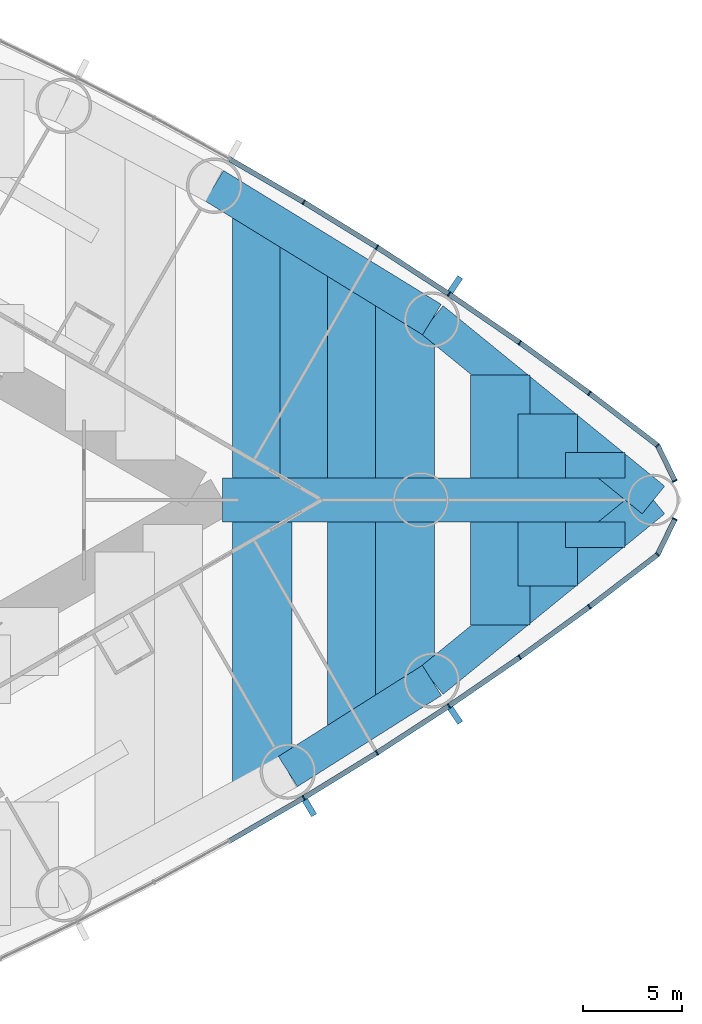
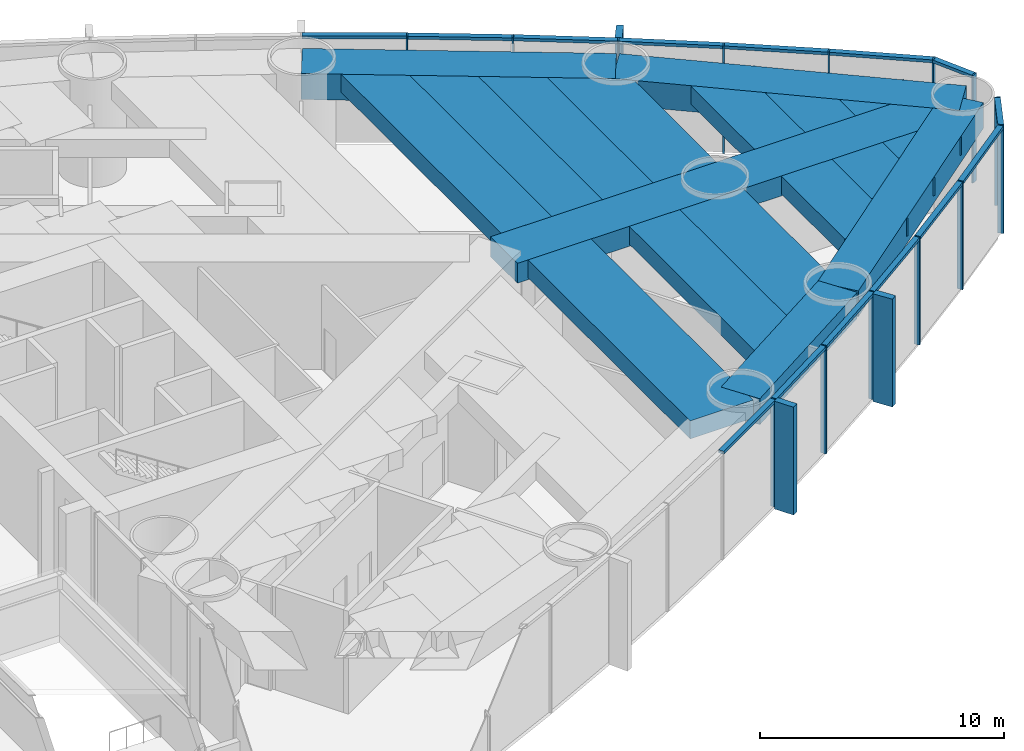
# One storey, part 13 of 23: 31 members, 18 beams, 2 elements without a shape of their own.
"""IFC4 building model written with IfcOpenShell, lengths in metres."""

from ifc_helpers import new_model, si_unit, direction, frame, origin, origin_2d, place, context, subcontext, project, spatial, rectangle, extrude, material, material_profile, profile_set, type_object, element, aggregate, save


model = new_model("IFC4")

# Units and contexts
model_context = context("Model", 3, precision=1e-05, world=origin(), true_north=direction((0.0, 1.0)))
body_context = subcontext(model_context, "Body", "Model", "MODEL_VIEW")
ifc_project = project(units=[si_unit("LENGTHUNIT", "METRE"), si_unit("AREAUNIT", "SQUARE_METRE"), si_unit("VOLUMEUNIT", "CUBIC_METRE"), si_unit("PLANEANGLEUNIT", "RADIAN"), si_unit("MASSUNIT", "GRAM", prefix="KILO")], contexts=[model_context])

# Site, building, storey
site_placement = place(None, origin())
site = spatial("IfcSite", under=ifc_project, at=site_placement, CompositionType="ELEMENT")
building_placement = place(site_placement, origin())
building = spatial("IfcBuilding", under=site, at=building_placement, Name="Lancet Gate Hotel", CompositionType="ELEMENT")
storey_placement = place(building_placement, frame((0.0, 0.0, 12.60009765625)))
storey = spatial("IfcBuildingStorey", under=building, at=storey_placement, Name="L02", CompositionType="ELEMENT", Elevation=12.60009765625)

# Curtain wall, members
ifc_material_1 = material(Name="Aluminium curtain wall", Category="aluminium")
curtain_wall_type = type_object("IfcCurtainWallType", Name="Podium curtain wall", PredefinedType="USERDEFINED", material=ifc_material_1)
curtain_wall_1_placement = place(storey_placement, origin())
curtain_wall_1 = element("IfcCurtainWall", 1, at=curtain_wall_1_placement, inside=storey, type_object=curtain_wall_type, Name="T2 L02 curtain wall 2", ObjectType="UNITISED CURTAIN WALL", PredefinedType="USERDEFINED")
ifc_material_2 = material(Name="Aluminium mullion", Category="aluminium")
ifc_material_profile_1 = material_profile(ifc_material_2, rectangle(XDim=0.06494140625, YDim=0.25, at=origin_2d()), Name="MULLION 65x250")
ifc_profile_set_1 = profile_set([ifc_material_profile_1], Name="Aluminium mullion")
member_type_1 = type_object("IfcMemberType", Name="Aluminium mullion 65x250", PredefinedType="MULLION", material=ifc_profile_set_1)
member_1_placement = place(storey_placement, frame((55.590087890625, -15.03125, 0.0), z_axis=(0.0, 0.0, 1.0), x_axis=(0.858413008828, 0.512959166284, 0.0)))
member_1 = element("IfcMember", 2, at=member_1_placement, type_object=member_type_1, Name="T2 L02 curtain wall 2 mullion 8", PredefinedType="MULLION", context=body_context, shape_type="SweptSolid", body=[
    extrude(rectangle(XDim=0.06494140625, YDim=0.25, at=origin_2d()), origin(), (0.0, 0.0, 1.0), 5.39990234375),
])
member_2_placement = place(storey_placement, frame((59.28515625, -12.7587890625, 0.0), z_axis=(0.0, 0.0, 1.0), x_axis=(0.845079420983, 0.534640788035, 0.0)))
member_2 = element("IfcMember", 3, at=member_2_placement, type_object=member_type_1, Name="T2 L02 curtain wall 2 mullion 9", PredefinedType="MULLION", context=body_context, shape_type="SweptSolid", body=[
    extrude(rectangle(XDim=0.06494140625, YDim=0.25, at=origin_2d()), origin(), (0.0, 0.0, 1.0), 5.39990234375),
])
member_3_placement = place(storey_placement, frame((62.921142578125, -10.393310546875, 0.0), z_axis=(0.0, 0.0, 1.0), x_axis=(0.831198325377, 0.555976028162, 0.0)))
member_3 = element("IfcMember", 4, at=member_3_placement, type_object=member_type_1, Name="T2 L02 curtain wall 2 mullion 10", PredefinedType="MULLION", context=body_context, shape_type="SweptSolid", body=[
    extrude(rectangle(XDim=0.06494140625, YDim=0.25, at=origin_2d()), origin(), (0.0, 0.0, 1.0), 5.39990234375),
])
member_4_placement = place(storey_placement, frame((66.49560546875, -7.935791015625, 0.0), z_axis=(0.0, 0.0, 1.0), x_axis=(0.816778715254, 0.576951064049, 0.0)))
member_4 = element("IfcMember", 5, at=member_4_placement, type_object=member_type_1, Name="T2 L02 curtain wall 2 mullion 11", PredefinedType="MULLION", context=body_context, shape_type="SweptSolid", body=[
    extrude(rectangle(XDim=0.06494140625, YDim=0.25, at=origin_2d()), origin(), (0.0, 0.0, 1.0), 5.39990234375),
])
member_5_placement = place(storey_placement, frame((70.00634765625, -5.388427734375, 0.0), z_axis=(0.0, 0.0, 1.0), x_axis=(0.801829932754, 0.597552306447, 0.0)))
member_5 = element("IfcMember", 6, at=member_5_placement, type_object=member_type_1, Name="T2 L02 curtain wall 2 mullion 12", PredefinedType="MULLION", context=body_context, shape_type="SweptSolid", body=[
    extrude(rectangle(XDim=0.06494140625, YDim=0.25, at=origin_2d()), origin(), (0.0, 0.0, 1.0), 5.39990234375),
])
member_6_placement = place(storey_placement, frame((73.451416015625, -2.752197265625, 0.0), z_axis=(0.0, 0.0, 1.0), x_axis=(0.697983022443, 0.716114306784, 0.0)))
member_6 = element("IfcMember", 7, at=member_6_placement, type_object=member_type_1, Name="T2 L02 curtain wall 2 mullion 13", PredefinedType="MULLION", context=body_context, shape_type="SweptSolid", body=[
    extrude(rectangle(XDim=0.06494140625, YDim=0.25, at=origin_2d()), origin(), (0.0, 0.0, 1.0), 5.39990234375),
])
member_7_placement = place(storey_placement, frame((74.322265625, -0.96044921875, 0.0), z_axis=(0.0, 0.0, 1.0), x_axis=(0.437169070119, 0.899379343843, 0.0)))
member_7 = element("IfcMember", 8, at=member_7_placement, type_object=member_type_1, Name="T2 L02 curtain wall 2 mullion 14", PredefinedType="MULLION", context=body_context, shape_type="SweptSolid", body=[
    extrude(rectangle(XDim=0.06494140625, YDim=0.25, at=origin_2d()), origin(), (0.0, 0.0, 1.0), 5.39990234375),
])

curtain_wall_2_placement = place(storey_placement, origin())
curtain_wall_2 = element("IfcCurtainWall", 9, at=curtain_wall_2_placement, inside=storey, type_object=curtain_wall_type, Name="T2 L02 curtain wall 3", ObjectType="UNITISED CURTAIN WALL", PredefinedType="USERDEFINED")
member_8_placement = place(storey_placement, frame((74.322265625, 0.96044921875, 0.0), z_axis=(0.0, 0.0, 1.0), x_axis=(-0.437169070119, 0.899379343843, 0.0)))
member_8 = element("IfcMember", 10, at=member_8_placement, type_object=member_type_1, Name="T2 L02 curtain wall 3 mullion 1", PredefinedType="MULLION", context=body_context, shape_type="SweptSolid", body=[
    extrude(rectangle(XDim=0.06494140625, YDim=0.25, at=origin_2d()), origin(), (0.0, 0.0, 1.0), 5.39990234375),
])
member_9_placement = place(storey_placement, frame((73.451416015625, 2.752197265625, 0.0), z_axis=(0.0, 0.0, 1.0), x_axis=(-0.697983022443, 0.716114306784, 0.0)))
member_9 = element("IfcMember", 11, at=member_9_placement, type_object=member_type_1, Name="T2 L02 curtain wall 3 mullion 2", PredefinedType="MULLION", context=body_context, shape_type="SweptSolid", body=[
    extrude(rectangle(XDim=0.06494140625, YDim=0.25, at=origin_2d()), origin(), (0.0, 0.0, 1.0), 5.39990234375),
])
member_10_placement = place(storey_placement, frame((70.00634765625, 5.388427734375, 0.0), z_axis=(0.0, 0.0, 1.0), x_axis=(-0.801829932754, 0.597552306447, 0.0)))
member_10 = element("IfcMember", 12, at=member_10_placement, type_object=member_type_1, Name="T2 L02 curtain wall 3 mullion 3", PredefinedType="MULLION", context=body_context, shape_type="SweptSolid", body=[
    extrude(rectangle(XDim=0.06494140625, YDim=0.25, at=origin_2d()), origin(), (0.0, 0.0, 1.0), 5.39990234375),
])
member_11_placement = place(storey_placement, frame((66.49560546875, 7.935791015625, 0.0), z_axis=(0.0, 0.0, 1.0), x_axis=(-0.816778715254, 0.576951064049, 0.0)))
member_11 = element("IfcMember", 13, at=member_11_placement, type_object=member_type_1, Name="T2 L02 curtain wall 3 mullion 4", PredefinedType="MULLION", context=body_context, shape_type="SweptSolid", body=[
    extrude(rectangle(XDim=0.06494140625, YDim=0.25, at=origin_2d()), origin(), (0.0, 0.0, 1.0), 5.39990234375),
])
member_12_placement = place(storey_placement, frame((62.921142578125, 10.393310546875, 0.0), z_axis=(0.0, 0.0, 1.0), x_axis=(-0.831198325377, 0.555976028162, 0.0)))
member_12 = element("IfcMember", 14, at=member_12_placement, type_object=member_type_1, Name="T2 L02 curtain wall 3 mullion 5", PredefinedType="MULLION", context=body_context, shape_type="SweptSolid", body=[
    extrude(rectangle(XDim=0.06494140625, YDim=0.25, at=origin_2d()), origin(), (0.0, 0.0, 1.0), 5.39990234375),
])
member_13_placement = place(storey_placement, frame((59.28515625, 12.7587890625, 0.0), z_axis=(0.0, 0.0, 1.0), x_axis=(-0.845079420983, 0.534640788035, 0.0)))
member_13 = element("IfcMember", 15, at=member_13_placement, type_object=member_type_1, Name="T2 L02 curtain wall 3 mullion 6", PredefinedType="MULLION", context=body_context, shape_type="SweptSolid", body=[
    extrude(rectangle(XDim=0.06494140625, YDim=0.25, at=origin_2d()), origin(), (0.0, 0.0, 1.0), 5.39990234375),
])
member_14_placement = place(storey_placement, frame((55.590087890625, 15.03125, 0.0), z_axis=(0.0, 0.0, 1.0), x_axis=(-0.858413008828, 0.512959166284, 0.0)))
member_14 = element("IfcMember", 16, at=member_14_placement, type_object=member_type_1, Name="T2 L02 curtain wall 3 mullion 7", PredefinedType="MULLION", context=body_context, shape_type="SweptSolid", body=[
    extrude(rectangle(XDim=0.06494140625, YDim=0.25, at=origin_2d()), origin(), (0.0, 0.0, 1.0), 5.39990234375),
])

# Member
ifc_material_3 = material(Name="Aluminium transom", Category="aluminium")
ifc_material_profile_2 = material_profile(ifc_material_3, rectangle(XDim=0.25, YDim=0.14990234375, at=origin_2d()), Name="TRANSOM 250x150")
ifc_profile_set_2 = profile_set([ifc_material_profile_2], Name="Aluminium transom")
member_type_2 = type_object("IfcMemberType", Name="Aluminium transom 250x150", PredefinedType="USERDEFINED", material=ifc_profile_set_2)
member_15_placement = place(storey_placement, frame((51.86669921875, -17.1923828125, 5.324951171875), z_axis=(0.864854571156, 0.502022480324, 0.0), x_axis=(-0.502022480324, 0.864854571156, 0.0)))
member_15 = element("IfcMember", 17, at=member_15_placement, type_object=member_type_2, Name="T2 L02 curtain wall 2 transom 7", ObjectType="TRANSOM", PredefinedType="USERDEFINED", context=body_context, shape_type="SweptSolid", body=[
    extrude(rectangle(XDim=0.25, YDim=0.14990234375, at=origin_2d()), origin(), (0.0, 0.0, 1.0), 4.272705078125),
])

member_16_placement = place(storey_placement, frame((55.617919921875, -15.01416015625, 5.324951171875), z_axis=(0.851815224451, 0.523842365023, 0.0), x_axis=(-0.523842365023, 0.851815224451, 0.0)))
member_16 = element("IfcMember", 18, at=member_16_placement, type_object=member_type_2, Name="T2 L02 curtain wall 2 transom 8", ObjectType="TRANSOM", PredefinedType="USERDEFINED", context=body_context, shape_type="SweptSolid", body=[
    extrude(rectangle(XDim=0.25, YDim=0.14990234375, at=origin_2d()), origin(), (0.0, 0.0, 1.0), 4.272705078125),
])

member_17_placement = place(storey_placement, frame((59.3125, -12.7412109375, 5.324951171875), z_axis=(0.83817850664, 0.545395994674, 0.0), x_axis=(-0.545395994674, 0.83817850664, 0.0)))
member_17 = element("IfcMember", 19, at=member_17_placement, type_object=member_type_2, Name="T2 L02 curtain wall 2 transom 9", ObjectType="TRANSOM", PredefinedType="USERDEFINED", context=body_context, shape_type="SweptSolid", body=[
    extrude(rectangle(XDim=0.25, YDim=0.14990234375, at=origin_2d()), origin(), (0.0, 0.0, 1.0), 4.272705078125),
])

member_18_placement = place(storey_placement, frame((62.94775390625, -10.374755859375, 5.324951171875), z_axis=(0.824071932869, 0.566485171437, 0.0), x_axis=(-0.566485171437, 0.824071932869, 0.0)))
member_18 = element("IfcMember", 20, at=member_18_placement, type_object=member_type_2, Name="T2 L02 curtain wall 2 transom 10", ObjectType="TRANSOM", PredefinedType="USERDEFINED", context=body_context, shape_type="SweptSolid", body=[
    extrude(rectangle(XDim=0.25, YDim=0.14990234375, at=origin_2d()), origin(), (0.0, 0.0, 1.0), 4.272705078125),
])

member_19_placement = place(storey_placement, frame((66.52197265625, -7.916748046875, 5.324951171875), z_axis=(0.809382971085, 0.587281198505, 0.0), x_axis=(-0.587281198505, 0.809382971085, 0.0)))
member_19 = element("IfcMember", 21, at=member_19_placement, type_object=member_type_2, Name="T2 L02 curtain wall 2 transom 11", ObjectType="TRANSOM", PredefinedType="USERDEFINED", context=body_context, shape_type="SweptSolid", body=[
    extrude(rectangle(XDim=0.25, YDim=0.14990234375, at=origin_2d()), origin(), (0.0, 0.0, 1.0), 4.272705078125),
])

member_20_placement = place(storey_placement, frame((70.0322265625, -5.36865234375, 5.324951171875), z_axis=(0.794155062652, 0.607715177089, 0.0), x_axis=(-0.607715177089, 0.794155062652, 0.0)))
member_20 = element("IfcMember", 22, at=member_20_placement, type_object=member_type_2, Name="T2 L02 curtain wall 2 transom 12", ObjectType="TRANSOM", PredefinedType="USERDEFINED", context=body_context, shape_type="SweptSolid", body=[
    extrude(rectangle(XDim=0.25, YDim=0.14990234375, at=origin_2d()), origin(), (0.0, 0.0, 1.0), 4.27294921875),
])

member_21_placement = place(storey_placement, frame((73.465576171875, -2.72314453125, 5.324951171875), z_axis=(0.437103060611, 0.899411426659, 0.0), x_axis=(-0.899411426659, 0.437103060611, 0.0)))
member_21 = element("IfcMember", 23, at=member_21_placement, type_object=member_type_2, Name="T2 L02 curtain wall 2 transom 13", ObjectType="TRANSOM", PredefinedType="USERDEFINED", context=body_context, shape_type="SweptSolid", body=[
    extrude(rectangle(XDim=0.25, YDim=0.14990234375, at=origin_2d()), origin(), (0.0, 0.0, 1.0), 1.927490234375),
])

member_22_placement = place(storey_placement, frame((74.30810546875, 0.989501953125, 5.324951171875), z_axis=(-0.437103060611, 0.899411426659, 0.0), x_axis=(-0.899411426659, -0.437103060611, 0.0)))
member_22 = element("IfcMember", 24, at=member_22_placement, type_object=member_type_2, Name="T2 L02 curtain wall 3 transom 1", ObjectType="TRANSOM", PredefinedType="USERDEFINED", context=body_context, shape_type="SweptSolid", body=[
    extrude(rectangle(XDim=0.25, YDim=0.14990234375, at=origin_2d()), origin(), (0.0, 0.0, 1.0), 1.927490234375),
])

member_23_placement = place(storey_placement, frame((73.425537109375, 2.77197265625, 5.324951171875), z_axis=(-0.794155062652, 0.607715177089, 0.0), x_axis=(-0.607715177089, -0.794155062652, 0.0)))
member_23 = element("IfcMember", 25, at=member_23_placement, type_object=member_type_2, Name="T2 L02 curtain wall 3 transom 2", ObjectType="TRANSOM", PredefinedType="USERDEFINED", context=body_context, shape_type="SweptSolid", body=[
    extrude(rectangle(XDim=0.25, YDim=0.14990234375, at=origin_2d()), origin(), (0.0, 0.0, 1.0), 4.27294921875),
])

member_24_placement = place(storey_placement, frame((69.980224609375, 5.407470703125, 5.324951171875), z_axis=(-0.809382971085, 0.587281198505, 0.0), x_axis=(-0.587281198505, -0.809382971085, 0.0)))
member_24 = element("IfcMember", 26, at=member_24_placement, type_object=member_type_2, Name="T2 L02 curtain wall 3 transom 3", ObjectType="TRANSOM", PredefinedType="USERDEFINED", context=body_context, shape_type="SweptSolid", body=[
    extrude(rectangle(XDim=0.25, YDim=0.14990234375, at=origin_2d()), origin(), (0.0, 0.0, 1.0), 4.272705078125),
])

member_25_placement = place(storey_placement, frame((66.46875, 7.954345703125, 5.324951171875), z_axis=(-0.824071932869, 0.566485171437, 0.0), x_axis=(-0.566485171437, -0.824071932869, 0.0)))
member_25 = element("IfcMember", 27, at=member_25_placement, type_object=member_type_2, Name="T2 L02 curtain wall 3 transom 4", ObjectType="TRANSOM", PredefinedType="USERDEFINED", context=body_context, shape_type="SweptSolid", body=[
    extrude(rectangle(XDim=0.25, YDim=0.14990234375, at=origin_2d()), origin(), (0.0, 0.0, 1.0), 4.272705078125),
])

member_26_placement = place(storey_placement, frame((62.893798828125, 10.410888671875, 5.324951171875), z_axis=(-0.83817850664, 0.545395994674, 0.0), x_axis=(-0.545395994674, -0.83817850664, 0.0)))
member_26 = element("IfcMember", 28, at=member_26_placement, type_object=member_type_2, Name="T2 L02 curtain wall 3 transom 5", ObjectType="TRANSOM", PredefinedType="USERDEFINED", context=body_context, shape_type="SweptSolid", body=[
    extrude(rectangle(XDim=0.25, YDim=0.14990234375, at=origin_2d()), origin(), (0.0, 0.0, 1.0), 4.272705078125),
])

member_27_placement = place(storey_placement, frame((59.257568359375, 12.77587890625, 5.324951171875), z_axis=(-0.851815224451, 0.523842365023, 0.0), x_axis=(-0.523842365023, -0.851815224451, 0.0)))
member_27 = element("IfcMember", 29, at=member_27_placement, type_object=member_type_2, Name="T2 L02 curtain wall 3 transom 6", ObjectType="TRANSOM", PredefinedType="USERDEFINED", context=body_context, shape_type="SweptSolid", body=[
    extrude(rectangle(XDim=0.25, YDim=0.14990234375, at=origin_2d()), origin(), (0.0, 0.0, 1.0), 4.272705078125),
])

member_28_placement = place(storey_placement, frame((55.56201171875, 15.04736328125, 5.324951171875), z_axis=(-0.864854571156, 0.502022480324, 0.0), x_axis=(-0.502022480324, -0.864854571156, 0.0)))
member_28 = element("IfcMember", 30, at=member_28_placement, type_object=member_type_2, Name="T2 L02 curtain wall 3 transom 7", ObjectType="TRANSOM", PredefinedType="USERDEFINED", context=body_context, shape_type="SweptSolid", body=[
    extrude(rectangle(XDim=0.25, YDim=0.14990234375, at=origin_2d()), origin(), (0.0, 0.0, 1.0), 4.272705078125),
])

# Beams
ifc_material_4 = material(Name="Concrete C50/60", Category="concrete")
ifc_material_profile_3 = material_profile(ifc_material_4, rectangle(XDim=1.800048828125, YDim=1.300048828125, at=origin_2d()), Name="RC 1800x1300")
ifc_profile_set_3 = profile_set([ifc_material_profile_3], Name="Concrete C50/60")
beam_type_1 = type_object("IfcBeamType", Name="Edge beam RC 1800x1300", PredefinedType="SPANDREL", material=ifc_profile_set_3)
beam_1_placement = place(storey_placement, frame((54.795166015625, -13.70068359375, 4.5), z_axis=(0.845078312276, 0.534642540508, 0.0), x_axis=(-0.534642540508, 0.845078312276, 0.0)))
element("IfcBeam", 31, at=beam_1_placement, inside=storey, type_object=beam_type_1, Name="T2 edge beam EB1 L02", PredefinedType="SPANDREL", context=body_context, shape_type="SweptSolid", body=[
    extrude(rectangle(XDim=1.800048828125, YDim=1.300048828125, at=origin_2d()), origin(), (0.0, 0.0, 1.0), 8.595947265625),
])
for number, where, z_axis, x_axis, name in (
    (32, (62.059326171875, -9.10498046875, 4.5), (0.775390970005, 0.631481467372, 0.0), (-0.631481467372, 0.775390970005, 0.0), "T2 edge beam EB1 L02"),
    (33, (73.2392578125, 0.0, 4.5), (-0.775390970005, 0.631481467372, 0.0), (-0.631481467372, -0.775390970005, 0.0), "T2 edge beam EB1 L02"),
):
    element("IfcBeam", number, at=place(storey_placement, frame(where, z_axis=z_axis, x_axis=x_axis)), inside=storey, type_object=beam_type_1, Name=name, PredefinedType="SPANDREL", context=body_context, shape_type="SweptSolid", body=[
        extrude(rectangle(XDim=1.800048828125, YDim=1.300048828125, at=origin_2d()), origin(), (0.0, 0.0, 1.0), 14.41845703125),
    ])
beam_2_placement = place(storey_placement, frame((62.059326171875, 9.10498046875, 4.5), z_axis=(-0.851815628025, 0.523841708775, 0.0), x_axis=(-0.523841708775, -0.851815628025, 0.0)))
element("IfcBeam", 34, at=beam_2_placement, inside=storey, type_object=beam_type_1, Name="T2 edge beam EB1 L02", PredefinedType="SPANDREL", context=body_context, shape_type="SweptSolid", body=[
    extrude(rectangle(XDim=1.800048828125, YDim=1.300048828125, at=origin_2d()), origin(), (0.0, 0.0, 1.0), 12.89208984375),
])

# Member
ifc_material_5 = material(Name="Precast concrete C50/60", Category="concrete")
ifc_material_profile_4 = material_profile(ifc_material_5, rectangle(XDim=0.300048828125, YDim=0.89990234375, at=origin_2d()), Name="FIN 300x900")
ifc_profile_set_4 = profile_set([ifc_material_profile_4], Name="Precast concrete C50/60")
member_type_3 = type_object("IfcMemberType", Name="Exposed concrete fin 300x900", PredefinedType="USERDEFINED", material=ifc_profile_set_4)
member_29_placement = place(storey_placement, frame((55.88525390625, -15.524658203125, 0.0), z_axis=(0.0, 0.0, 1.0), x_axis=(0.858413008828, 0.512959166284, 0.0)))
member_29 = element("IfcMember", 35, at=member_29_placement, type_object=member_type_3, Name="T2 L02 curtain wall 2 fin 8", ObjectType="FIN", PredefinedType="USERDEFINED", context=body_context, shape_type="SweptSolid", body=[
    extrude(rectangle(XDim=0.300048828125, YDim=0.89990234375, at=origin_2d()), origin(), (0.0, 0.0, 1.0), 5.39990234375),
])

member_30_placement = place(storey_placement, frame((63.24072265625, -10.87109375, 0.0), z_axis=(0.0, 0.0, 1.0), x_axis=(0.831198325377, 0.555976028162, 0.0)))
member_30 = element("IfcMember", 36, at=member_30_placement, type_object=member_type_3, Name="T2 L02 curtain wall 2 fin 10", ObjectType="FIN", PredefinedType="USERDEFINED", context=body_context, shape_type="SweptSolid", body=[
    extrude(rectangle(XDim=0.300048828125, YDim=0.89990234375, at=origin_2d()), origin(), (0.0, 0.0, 1.0), 5.39990234375),
])

aggregate(curtain_wall_1, [member_1, member_29, member_2, member_3, member_30, member_4, member_5, member_6, member_7, member_15, member_16, member_17, member_18, member_19, member_20, member_21])

member_31_placement = place(storey_placement, frame((63.24072265625, 10.87109375, 0.0), z_axis=(0.0, 0.0, 1.0), x_axis=(-0.831198325377, 0.555976028162, 0.0)))
member_31 = element("IfcMember", 37, at=member_31_placement, type_object=member_type_3, Name="T2 L02 curtain wall 3 fin 5", ObjectType="FIN", PredefinedType="USERDEFINED", context=body_context, shape_type="SweptSolid", body=[
    extrude(rectangle(XDim=0.300048828125, YDim=0.89990234375, at=origin_2d()), origin(), (0.0, 0.0, 1.0), 5.39990234375),
])

aggregate(curtain_wall_2, [member_8, member_9, member_10, member_11, member_12, member_31, member_13, member_14, member_22, member_23, member_24, member_25, member_26, member_27, member_28])

# Beams
ifc_material_6 = material(Name="Concrete C50/60", Category="concrete")
ifc_material_profile_5 = material_profile(ifc_material_6, rectangle(XDim=3.0, YDim=0.89990234375, at=origin_2d()), Name="RC 3000x900")
ifc_profile_set_5 = profile_set([ifc_material_profile_5], Name="Concrete C50/60")
beam_type_2 = type_object("IfcBeamType", Name="Floor beam RC 3000x900", PredefinedType="BEAM", material=ifc_profile_set_5)
beam_3_placement = place(storey_placement, frame((53.502197265625, -14.40771484375, 4.699951171875), z_axis=(0.0, 1.0, 0.0), x_axis=(-1.0, 0.0, 0.0)))
element("IfcBeam", 38, at=beam_3_placement, inside=storey, type_object=beam_type_2, Name="T2 floor beam F16S L02", PredefinedType="BEAM", context=body_context, shape_type="SweptSolid", body=[
    extrude(rectangle(XDim=3.0, YDim=0.89990234375, at=origin_2d()), origin(), (0.0, 0.0, 1.0), 13.3076171875),
])
beam_4_placement = place(storey_placement, frame((53.502197265625, 1.10009765625, 4.699951171875), z_axis=(0.0, 1.0, 0.0), x_axis=(-1.0, 0.0, 0.0)))
element("IfcBeam", 39, at=beam_4_placement, inside=storey, type_object=beam_type_2, Name="T2 floor beam F17N L02", PredefinedType="BEAM", context=body_context, shape_type="SweptSolid", body=[
    extrude(rectangle(XDim=3.0, YDim=0.89990234375, at=origin_2d()), origin(), (0.0, 0.0, 1.0), 13.26708984375),
])
beam_5_placement = place(storey_placement, frame((55.90234375, 1.10009765625, 4.699951171875), z_axis=(0.0, 1.0, 0.0), x_axis=(-1.0, 0.0, 0.0)))
element("IfcBeam", 40, at=beam_5_placement, inside=storey, type_object=beam_type_2, Name="T2 floor beam F18N L02", PredefinedType="BEAM", context=body_context, shape_type="SweptSolid", body=[
    extrude(rectangle(XDim=3.0, YDim=0.89990234375, at=origin_2d()), origin(), (0.0, 0.0, 1.0), 11.791259765625),
])
beam_6_placement = place(storey_placement, frame((58.30224609375, -11.48193359375, 4.699951171875), z_axis=(0.0, 1.0, 0.0), x_axis=(-1.0, 0.0, 0.0)))
element("IfcBeam", 41, at=beam_6_placement, inside=storey, type_object=beam_type_2, Name="T2 floor beam F19S L02", PredefinedType="BEAM", context=body_context, shape_type="SweptSolid", body=[
    extrude(rectangle(XDim=3.0, YDim=0.89990234375, at=origin_2d()), origin(), (0.0, 0.0, 1.0), 10.3818359375),
])
beam_7_placement = place(storey_placement, frame((58.30224609375, 1.10009765625, 4.699951171875), z_axis=(0.0, 1.0, 0.0), x_axis=(-1.0, 0.0, 0.0)))
element("IfcBeam", 42, at=beam_7_placement, inside=storey, type_object=beam_type_2, Name="T2 floor beam F20N L02", PredefinedType="BEAM", context=body_context, shape_type="SweptSolid", body=[
    extrude(rectangle(XDim=3.0, YDim=0.89990234375, at=origin_2d()), origin(), (0.0, 0.0, 1.0), 10.3154296875),
])
beam_8_placement = place(storey_placement, frame((60.7021484375, -9.96337890625, 4.699951171875), z_axis=(0.0, 1.0, 0.0), x_axis=(-1.0, 0.0, 0.0)))
element("IfcBeam", 43, at=beam_8_placement, inside=storey, type_object=beam_type_2, Name="T2 floor beam F21S L02", PredefinedType="BEAM", context=body_context, shape_type="SweptSolid", body=[
    extrude(rectangle(XDim=3.0, YDim=0.89990234375, at=origin_2d()), origin(), (0.0, 0.0, 1.0), 8.86328125),
])
beam_9_placement = place(storey_placement, frame((60.7021484375, 1.10009765625, 4.699951171875), z_axis=(0.0, 1.0, 0.0), x_axis=(-1.0, 0.0, 0.0)))
element("IfcBeam", 44, at=beam_9_placement, inside=storey, type_object=beam_type_2, Name="T2 floor beam F22N L02", PredefinedType="BEAM", context=body_context, shape_type="SweptSolid", body=[
    extrude(rectangle(XDim=3.0, YDim=0.89990234375, at=origin_2d()), origin(), (0.0, 0.0, 1.0), 8.83935546875),
])
for number, where, z_axis, x_axis, name in (
    (45, (65.502197265625, -6.301025390625, 4.699951171875), (0.0, 1.0, 0.0), (-1.0, 0.0, 0.0), "T2 floor beam F23S L02"),
    (46, (65.502197265625, 1.10009765625, 4.699951171875), (0.0, 1.0, 0.0), (-1.0, 0.0, 0.0), "T2 floor beam F24N L02"),
):
    element("IfcBeam", number, at=place(storey_placement, frame(where, z_axis=z_axis, x_axis=x_axis)), inside=storey, type_object=beam_type_2, Name=name, PredefinedType="BEAM", context=body_context, shape_type="SweptSolid", body=[
        extrude(rectangle(XDim=3.0, YDim=0.89990234375, at=origin_2d()), origin(), (0.0, 0.0, 1.0), 5.200927734375),
    ])
for number, where, z_axis, x_axis, name in (
    (47, (67.90234375, -4.346435546875, 4.699951171875), (0.0, 1.0, 0.0), (-1.0, 0.0, 0.0), "T2 floor beam F25S L02"),
    (48, (67.90234375, 1.10009765625, 4.699951171875), (0.0, 1.0, 0.0), (-1.0, 0.0, 0.0), "T2 floor beam F26N L02"),
):
    element("IfcBeam", number, at=place(storey_placement, frame(where, z_axis=z_axis, x_axis=x_axis)), inside=storey, type_object=beam_type_2, Name=name, PredefinedType="BEAM", context=body_context, shape_type="SweptSolid", body=[
        extrude(rectangle(XDim=3.0, YDim=0.89990234375, at=origin_2d()), origin(), (0.0, 0.0, 1.0), 3.246337890625),
    ])
for number, where, z_axis, x_axis, name in (
    (49, (70.30224609375, -2.391845703125, 4.699951171875), (0.0, 1.0, 0.0), (-1.0, 0.0, 0.0), "T2 floor beam F27S L02"),
    (50, (70.30224609375, 1.10009765625, 4.699951171875), (0.0, 1.0, 0.0), (-1.0, 0.0, 0.0), "T2 floor beam F28N L02"),
):
    element("IfcBeam", number, at=place(storey_placement, frame(where, z_axis=z_axis, x_axis=x_axis)), inside=storey, type_object=beam_type_2, Name=name, PredefinedType="BEAM", context=body_context, shape_type="SweptSolid", body=[
        extrude(rectangle(XDim=3.0, YDim=0.89990234375, at=origin_2d()), origin(), (0.0, 0.0, 1.0), 1.291748046875),
    ])
ifc_material_7 = material(Name="Concrete C50/60", Category="concrete")
ifc_material_profile_6 = material_profile(ifc_material_7, rectangle(XDim=2.199951171875, YDim=1.0, at=origin_2d()), Name="RC 2200x1000")
ifc_profile_set_6 = profile_set([ifc_material_profile_6], Name="Concrete C50/60")
beam_type_3 = type_object("IfcBeamType", Name="Radial floor beam RC 2200x1000", PredefinedType="BEAM", material=ifc_profile_set_6)
beam_10_placement = place(storey_placement, frame((73.2392578125, 0.0, 4.64990234375), z_axis=(-1.0, 0.0, 0.0), x_axis=(0.0, -1.0, 0.0)))
element("IfcBeam", 51, at=beam_10_placement, inside=storey, type_object=beam_type_3, Name="T2 radial beam CA L02", PredefinedType="BEAM", context=body_context, shape_type="SweptSolid", body=[
    extrude(rectangle(XDim=2.199951171875, YDim=1.0, at=origin_2d()), origin(), (0.0, 0.0, 1.0), 21.737060546875),
])

save(model, "model.ifc")
